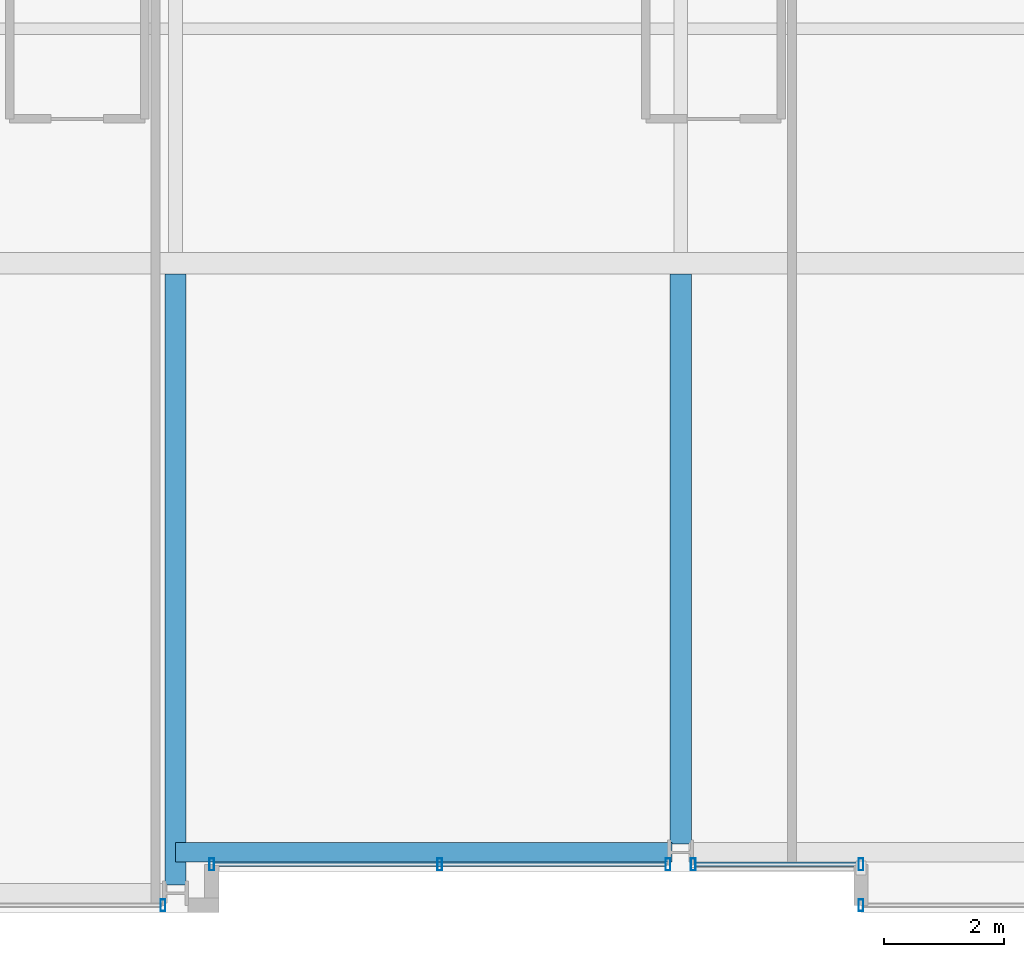
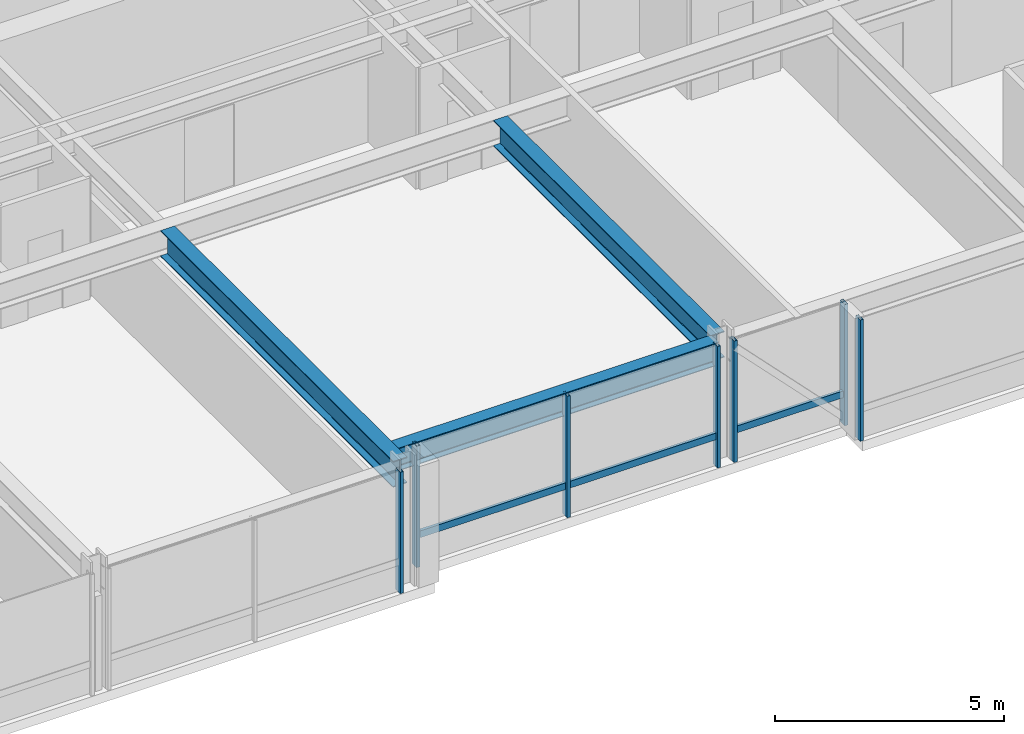
# One storey, part 5 of 35: 9 members, 3 beams, 4 elements without a shape of their own.
"""IFC4 building model written with IfcOpenShell, lengths in metres."""

from ifc_helpers import new_model, si_unit, direction, frame, origin, origin_2d, place, context, subcontext, project, spatial, hollow_rectangle, i_section, extrude, material, layer, layer_set, material_profile, profile_set, type_object, element, aggregate, save


model = new_model("IFC4")

# Units and contexts
model_context = context("Model", 3, precision=1e-05, world=origin(), true_north=direction((0.0, 1.0)))
body_context = subcontext(model_context, "Body", "Model", "MODEL_VIEW")
ifc_project = project(units=[si_unit("LENGTHUNIT", "METRE"), si_unit("AREAUNIT", "SQUARE_METRE"), si_unit("VOLUMEUNIT", "CUBIC_METRE"), si_unit("PLANEANGLEUNIT", "RADIAN"), si_unit("MASSUNIT", "GRAM", prefix="KILO")], contexts=[model_context])

# Site, building, storey
site_placement = place(None, origin())
site = spatial("IfcSite", under=ifc_project, at=site_placement, CompositionType="ELEMENT")
building_placement = place(site_placement, origin())
building = spatial("IfcBuilding", under=site, at=building_placement, Name="Drelvath Grand Hotel", CompositionType="ELEMENT")
storey_placement = place(building_placement, frame((0.0, 0.0, 130.300048828125)))
storey = spatial("IfcBuildingStorey", under=building, at=storey_placement, Name="L33", CompositionType="ELEMENT", Elevation=130.300048828125)

# Curtain wall, member
ifc_material_1 = material(Name="Champagne Bronze Anodised Aluminium Frame", Category="aluminium")
ifc_layer = layer(ifc_material_1, 0.199951171875)
ifc_layer_set = layer_set([ifc_layer], Name="Champagne Bronze Anodised Aluminium Frame")
curtain_wall_type = type_object("IfcCurtainWallType", Name="Stick Curtain Wall CW-03 Champagne Bronze Mid-Rise", PredefinedType="NOTDEFINED", material=ifc_layer_set)
curtain_wall_1_placement = place(storey_placement, origin())
curtain_wall_1 = element("IfcCurtainWall", 1, at=curtain_wall_1_placement, inside=storey, type_object=curtain_wall_type, Name="L33 CW-03 Curtain Wall CW03-L33-SM1", PredefinedType="NOTDEFINED")
ifc_material_profile_1 = material_profile(ifc_material_1, hollow_rectangle(XDim=0.074951171875, YDim=0.179931640625, WallThickness=0.0048828125, at=origin_2d()), Name="HSS180X75X5")
ifc_profile_set_1 = profile_set([ifc_material_profile_1], Name="Champagne Bronze Anodised Aluminium Frame")
member_type_1 = type_object("IfcMemberType", Name="Curtain Wall Horizontal Transom CW-03 HSS180X75X5", PredefinedType="USERDEFINED", material=ifc_profile_set_1)
member_1_placement = place(storey_placement, frame((-0.24951171875, 0.800048828125, 0.81005859375), z_axis=(-1.0, 0.0, 0.0), x_axis=(0.0, -1.0, 0.0)))
member_1 = element("IfcMember", 2, at=member_1_placement, type_object=member_type_1, Name="CW03-L33-SM1 Sill Transom", ObjectType="TRANSOM", PredefinedType="USERDEFINED", context=body_context, shape_type="SweptSolid", body=[
    extrude(hollow_rectangle(XDim=0.074951171875, YDim=0.179931640625, WallThickness=0.0048828125, at=origin_2d()), origin(), (0.0, 0.0, 1.0), 7.510498046875),
])

curtain_wall_2_placement = place(storey_placement, origin())
curtain_wall_2 = element("IfcCurtainWall", 3, at=curtain_wall_2_placement, inside=storey, type_object=curtain_wall_type, Name="L33 CW-03 Curtain Wall CW03-L33-SM2", PredefinedType="NOTDEFINED")
member_2_placement = place(storey_placement, frame((2.9599609375, 0.800048828125, 0.81005859375), z_axis=(-1.0, 0.0, 0.0), x_axis=(0.0, -1.0, 0.0)))
member_2 = element("IfcMember", 4, at=member_2_placement, type_object=member_type_1, Name="CW03-L33-SM2 Sill Transom", ObjectType="TRANSOM", PredefinedType="USERDEFINED", context=body_context, shape_type="SweptSolid", body=[
    extrude(hollow_rectangle(XDim=0.074951171875, YDim=0.179931640625, WallThickness=0.0048828125, at=origin_2d()), origin(), (0.0, 0.0, 1.0), 2.71044921875),
])

curtain_wall_3_placement = place(storey_placement, origin())
curtain_wall_3 = element("IfcCurtainWall", 5, at=curtain_wall_3_placement, inside=storey, type_object=curtain_wall_type, Name="L33 CW-03 Curtain Wall CW03-L33-SE1", PredefinedType="NOTDEFINED")
ifc_material_profile_2 = material_profile(ifc_material_1, hollow_rectangle(XDim=0.080078125, YDim=0.199951171875, WallThickness=0.0048828125, at=origin_2d()), Name="HSS200X80X5")
ifc_profile_set_2 = profile_set([ifc_material_profile_2], Name="Champagne Bronze Anodised Aluminium Frame")
member_type_2 = type_object("IfcMemberType", Name="Curtain Wall Vertical Mullion CW-03 HSS200X80X5", PredefinedType="MULLION", material=ifc_profile_set_2)
member_3_placement = place(storey_placement, frame((3.0, 0.1201171875, 0.0), z_axis=(0.0, 0.0, 1.0), x_axis=(1.0, 0.0, 0.0)))
member_3 = element("IfcMember", 6, at=member_3_placement, type_object=member_type_2, Name="CW03-L33-SE1 Mullion 2", PredefinedType="MULLION", context=body_context, shape_type="SweptSolid", body=[
    extrude(hollow_rectangle(XDim=0.080078125, YDim=0.199951171875, WallThickness=0.0048828125, at=origin_2d()), origin(), (0.0, 0.0, 1.0), 3.239990234375),
])
aggregate(curtain_wall_3, [member_3])

# Member
member_4_placement = place(storey_placement, frame((-0.20947265625, 0.800048828125, 0.0), z_axis=(0.0, 0.0, 1.0), x_axis=(1.0, 0.0, 0.0)))
member_4 = element("IfcMember", 7, at=member_4_placement, type_object=member_type_2, Name="CW03-L33-SM1 Mullion 1", PredefinedType="MULLION", context=body_context, shape_type="SweptSolid", body=[
    extrude(hollow_rectangle(XDim=0.080078125, YDim=0.199951171875, WallThickness=0.0048828125, at=origin_2d()), origin(), (0.0, 0.0, 1.0), 3.239990234375),
])

member_5_placement = place(storey_placement, frame((-4.004638671875, 0.800048828125, 0.0), z_axis=(0.0, 0.0, 1.0), x_axis=(1.0, 0.0, 0.0)))
member_5 = element("IfcMember", 8, at=member_5_placement, type_object=member_type_2, Name="CW03-L33-SM1 Mullion 2", PredefinedType="MULLION", context=body_context, shape_type="SweptSolid", body=[
    extrude(hollow_rectangle(XDim=0.080078125, YDim=0.199951171875, WallThickness=0.0048828125, at=origin_2d()), origin(), (0.0, 0.0, 1.0), 3.239990234375),
])

member_6_placement = place(storey_placement, frame((-7.800048828125, 0.800048828125, 0.0), z_axis=(0.0, 0.0, 1.0), x_axis=(1.0, 0.0, 0.0)))
member_6 = element("IfcMember", 9, at=member_6_placement, type_object=member_type_2, Name="CW03-L33-SM1 Mullion 3", PredefinedType="MULLION", context=body_context, shape_type="SweptSolid", body=[
    extrude(hollow_rectangle(XDim=0.080078125, YDim=0.199951171875, WallThickness=0.0048828125, at=origin_2d()), origin(), (0.0, 0.0, 1.0), 3.239990234375),
])

aggregate(curtain_wall_1, [member_4, member_5, member_6, member_1])

member_7_placement = place(storey_placement, frame((3.0, 0.800048828125, 0.0), z_axis=(0.0, 0.0, 1.0), x_axis=(1.0, 0.0, 0.0)))
member_7 = element("IfcMember", 10, at=member_7_placement, type_object=member_type_2, Name="CW03-L33-SM2 Mullion 1", PredefinedType="MULLION", context=body_context, shape_type="SweptSolid", body=[
    extrude(hollow_rectangle(XDim=0.080078125, YDim=0.199951171875, WallThickness=0.0048828125, at=origin_2d()), origin(), (0.0, 0.0, 1.0), 3.239990234375),
])

member_8_placement = place(storey_placement, frame((0.20947265625, 0.800048828125, 0.0), z_axis=(0.0, 0.0, 1.0), x_axis=(1.0, 0.0, 0.0)))
member_8 = element("IfcMember", 11, at=member_8_placement, type_object=member_type_2, Name="CW03-L33-SM2 Mullion 2", PredefinedType="MULLION", context=body_context, shape_type="SweptSolid", body=[
    extrude(hollow_rectangle(XDim=0.080078125, YDim=0.199951171875, WallThickness=0.0048828125, at=origin_2d()), origin(), (0.0, 0.0, 1.0), 3.239990234375),
])

aggregate(curtain_wall_2, [member_7, member_8, member_2])

# Curtain wall, member
curtain_wall_4_placement = place(storey_placement, origin())
curtain_wall_4 = element("IfcCurtainWall", 12, at=curtain_wall_4_placement, inside=storey, type_object=curtain_wall_type, Name="L33 CW-03 Curtain Wall CW03-L33-SW2", PredefinedType="NOTDEFINED")
member_9_placement = place(storey_placement, frame((-8.609375, 0.1201171875, 0.0), z_axis=(0.0, 0.0, 1.0), x_axis=(1.0, 0.0, 0.0)))
member_9 = element("IfcMember", 13, at=member_9_placement, type_object=member_type_2, Name="CW03-L33-SW2 Mullion 1", PredefinedType="MULLION", context=body_context, shape_type="SweptSolid", body=[
    extrude(hollow_rectangle(XDim=0.080078125, YDim=0.199951171875, WallThickness=0.0048828125, at=origin_2d()), origin(), (0.0, 0.0, 1.0), 3.239990234375),
])
aggregate(curtain_wall_4, [member_9])

# Beams
ifc_material_2 = material(Name="Steel ASTM A992 Gr 50", Category="steel")
ifc_material_profile_3 = material_profile(ifc_material_2, i_section(OverallWidth=0.323974609375, OverallDepth=0.611083984375, WebThickness=0.0126953125, FlangeThickness=0.01904296875, FilletRadius=0.02197265625, at=origin_2d()), Name="W24X104")
ifc_profile_set_3 = profile_set([ifc_material_profile_3], Name="Steel ASTM A992 Gr 50")
beam_type_1 = type_object("IfcBeamType", Name="Perimeter Spandrel Beam W24X104", PredefinedType="SPANDREL", material=ifc_profile_set_3)
beam_1_placement = place(storey_placement, frame((-8.39990234375, 1.0, 2.934326171875), z_axis=(1.0, 0.0, 0.0), x_axis=(0.0, 1.0, 0.0)))
element("IfcBeam", 14, at=beam_1_placement, inside=storey, type_object=beam_type_1, Name="L33 Spandrel South Mid W", PredefinedType="SPANDREL", context=body_context, shape_type="SweptSolid", body=[
    extrude(i_section(OverallWidth=0.323974609375, OverallDepth=0.611083984375, WebThickness=0.0126953125, FlangeThickness=0.01904296875, FilletRadius=0.02197265625, at=origin_2d()), origin(), (0.0, 0.0, 1.0), 8.260009765625),
])
ifc_material_profile_4 = material_profile(ifc_material_2, i_section(OverallWidth=0.354736328125, OverallDepth=0.695556640625, WebThickness=0.015380859375, FlangeThickness=0.025146484375, FilletRadius=0.02392578125, at=origin_2d()), Name="W27X146")
ifc_profile_set_4 = profile_set([ifc_material_profile_4], Name="Steel ASTM A992 Gr 50")
beam_type_2 = type_object("IfcBeamType", Name="Primary Floor Girder W27X146", PredefinedType="BEAM", material=ifc_profile_set_4)
beam_2_placement = place(storey_placement, frame((-8.39990234375, 0.4599609375, 2.892333984375), z_axis=(0.0, 1.0, 0.0), x_axis=(-1.0, 0.0, 0.0)))
element("IfcBeam", 15, at=beam_2_placement, inside=storey, type_object=beam_type_2, Name="L33 South Wing Girder 4", PredefinedType="BEAM", context=body_context, shape_type="SweptSolid", body=[
    extrude(i_section(OverallWidth=0.354736328125, OverallDepth=0.695556640625, WebThickness=0.015380859375, FlangeThickness=0.025146484375, FilletRadius=0.02392578125, at=origin_2d()), origin(), (0.0, 0.0, 1.0), 10.16259765625),
])
beam_3_placement = place(storey_placement, frame((0.0, 1.139892578125, 2.892333984375), z_axis=(0.0, 1.0, 0.0), x_axis=(-1.0, 0.0, 0.0)))
element("IfcBeam", 16, at=beam_3_placement, inside=storey, type_object=beam_type_2, Name="L33 South Wing Girder 5", PredefinedType="BEAM", context=body_context, shape_type="SweptSolid", body=[
    extrude(i_section(OverallWidth=0.354736328125, OverallDepth=0.695556640625, WebThickness=0.015380859375, FlangeThickness=0.025146484375, FilletRadius=0.02392578125, at=origin_2d()), origin(), (0.0, 0.0, 1.0), 9.482666015625),
])

save(model, "model.ifc")
